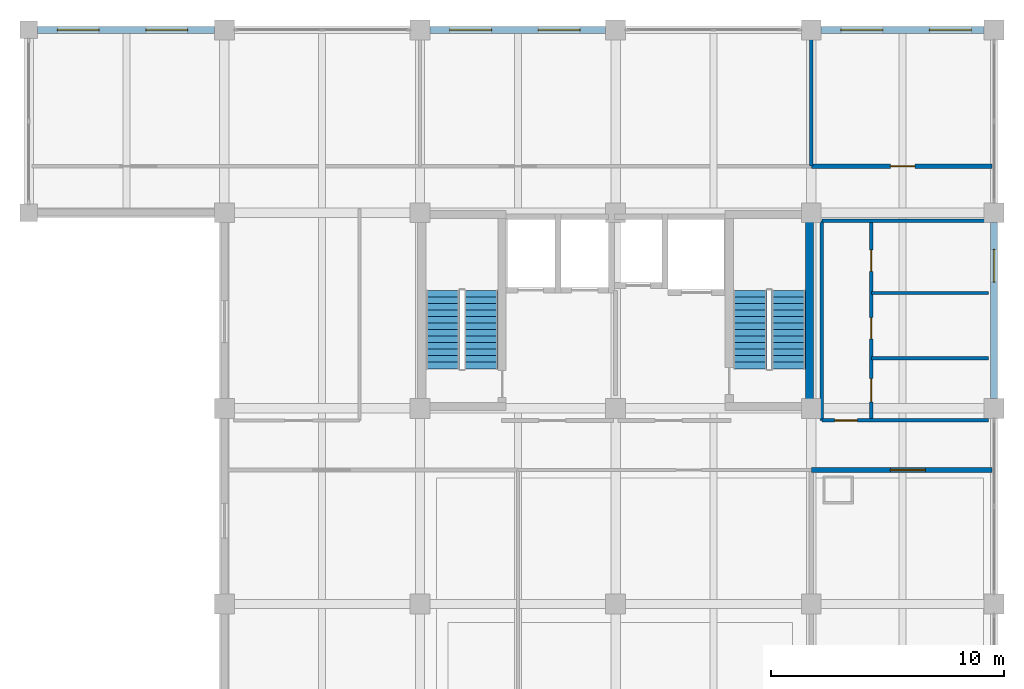
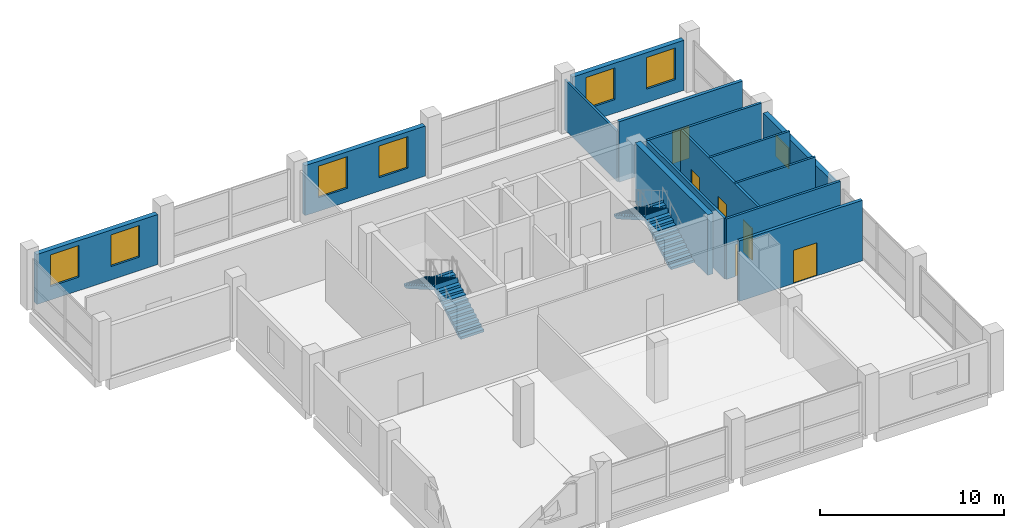
# One storey, part 8 of 9: 14 walls, 7 windows, 6 doors, 4 stair flights, 13 openings, 2 elements without a shape of their own.
"""IFC4 building model written with IfcOpenShell, lengths in metres."""

from ifc_helpers import new_model, si_unit, direction, frame, frame_2d, origin, place, context, subcontext, project, spatial, polyline, rectangle, outline, extrude, material, layer, layer_set, type_object, element, fill, aggregate, save


model = new_model("IFC4")

# Units and contexts
model_context = context("Model", 3, precision=1e-05, world=origin(), true_north=direction((0.0, 1.0)))
body_context = subcontext(model_context, "Body", "Model", "MODEL_VIEW")
ifc_project = project(units=[si_unit("LENGTHUNIT", "METRE"), si_unit("AREAUNIT", "SQUARE_METRE"), si_unit("VOLUMEUNIT", "CUBIC_METRE"), si_unit("PLANEANGLEUNIT", "RADIAN"), si_unit("MASSUNIT", "GRAM", prefix="KILO")], contexts=[model_context])

# Site, building, storey
site_placement = place(None, origin())
site = spatial("IfcSite", under=ifc_project, at=site_placement, CompositionType="ELEMENT")
building_placement = place(site_placement, origin())
building = spatial("IfcBuilding", under=site, at=building_placement, Name="Brinegate Botanical Conservatory", CompositionType="ELEMENT")
storey_placement = place(building_placement, frame((0.0, 0.0, 31.800048828125)))
storey = spatial("IfcBuildingStorey", under=building, at=storey_placement, Name="L08", CompositionType="ELEMENT", Elevation=31.800048828125)

# Wall, openings, windows
ifc_material_1 = material(Name="Insulated Minnan red clay brick masonry", Category="masonry")
ifc_layer_1 = layer(ifc_material_1, 0.300048828125, Name="Insulated Minnan red clay brick masonry", Category="masonry")
ifc_layer_set_1 = layer_set([ifc_layer_1], Name="Insulated Minnan red clay brick masonry")
wall_type_1 = type_object("IfcWallType", Name="Wall_EW-300B", PredefinedType="STANDARD", material=ifc_layer_set_1)
wall_1_placement = place(storey_placement, frame((122.375, 111.449951171875, 0.0), z_axis=(0.0, 0.0, 1.0), x_axis=(1.0, 0.0, 0.0)))
wall_1 = element("IfcWall", 1, at=wall_1_placement, inside=storey, type_object=wall_type_1, Name="Research lab north brick wall L08.1", PredefinedType="STANDARD", context=body_context, shape_type="SweptSolid", body=[
    extrude(rectangle(XDim=7.60009765625, YDim=0.300048828125, at=frame_2d((3.800048828125, 0.0))), origin(), (0.0, 0.0, 1.0), 3.320068359375),
])
opening_1_placement = place(wall_1_placement, frame((0.85009765625, 0.0, 0.89990234375)))
opening_1 = element("IfcOpeningElement", 2, at=opening_1_placement, cuts=wall_1, Name="Opening WN-01", PredefinedType="OPENING", context=body_context, shape_type="SweptSolid", body=[
    extrude(rectangle(XDim=1.800048828125, YDim=2.10009765625, at=frame_2d((0.89990234375, 1.050048828125))), frame((0.0, 0.159912109375, 0.0), z_axis=(0.0, -1.0, 0.0), x_axis=(1.0, 0.0, 0.0)), (0.0, 0.0, 1.0), 0.320068359375),
])
opening_2_placement = place(wall_1_placement, frame((4.64990234375, 0.0, 0.89990234375)))
opening_2 = element("IfcOpeningElement", 3, at=opening_2_placement, cuts=wall_1, Name="Opening WN-01", PredefinedType="OPENING", context=body_context, shape_type="SweptSolid", body=[
    extrude(rectangle(XDim=1.800048828125, YDim=2.10009765625, at=frame_2d((0.89990234375, 1.050048828125))), frame((0.0, 0.159912109375, 0.0), z_axis=(0.0, -1.0, 0.0), x_axis=(1.0, 0.0, 0.0)), (0.0, 0.0, 1.0), 0.320068359375),
])
ifc_material_2 = material(Name="Thermally broken aluminium-framed Low-E glass", Category="aluminium")
window_type_1 = type_object("IfcWindowType", Name="Win_WN-01", PartitioningType="DOUBLE_PANEL_VERTICAL", PredefinedType="WINDOW", material=ifc_material_2)
window_1_placement = place(opening_1_placement, origin())
window_1 = element("IfcWindow", 4, at=window_1_placement, inside=storey, type_object=window_type_1, Name="Research lab north window L08.1A", OverallHeight=2.10009765625, OverallWidth=1.800048828125, PartitioningType="DOUBLE_PANEL_VERTICAL", PredefinedType="WINDOW", context=body_context, shape_type="SweptSolid", body=[
    extrude(rectangle(XDim=1.800048828125, YDim=2.10009765625, at=frame_2d((0.89990234375, 1.050048828125))), frame((0.0, 0.030029296875, 0.0), z_axis=(0.0, -1.0, 0.0), x_axis=(1.0, 0.0, 0.0)), (0.0, 0.0, 1.0), 0.06005859375),
])
fill(opening_1, window_1)
window_2_placement = place(opening_2_placement, origin())
window_2 = element("IfcWindow", 5, at=window_2_placement, inside=storey, type_object=window_type_1, Name="Research lab north window L08.1B", OverallHeight=2.10009765625, OverallWidth=1.800048828125, PartitioningType="DOUBLE_PANEL_VERTICAL", PredefinedType="WINDOW", context=body_context, shape_type="SweptSolid", body=[
    extrude(rectangle(XDim=1.800048828125, YDim=2.10009765625, at=frame_2d((0.89990234375, 1.050048828125))), frame((0.0, 0.030029296875, 0.0), z_axis=(0.0, -1.0, 0.0), x_axis=(1.0, 0.0, 0.0)), (0.0, 0.0, 1.0), 0.06005859375),
])
fill(opening_2, window_2)

wall_2_placement = place(storey_placement, frame((139.22509765625, 111.449951171875, 0.0), z_axis=(0.0, 0.0, 1.0), x_axis=(1.0, 0.0, 0.0)))
wall_2 = element("IfcWall", 6, at=wall_2_placement, inside=storey, type_object=wall_type_1, Name="Research lab north brick wall L08.3", PredefinedType="STANDARD", context=body_context, shape_type="SweptSolid", body=[
    extrude(rectangle(XDim=7.5498046875, YDim=0.300048828125, at=frame_2d((3.77490234375, 0.0))), origin(), (0.0, 0.0, 1.0), 3.320068359375),
])
opening_3_placement = place(wall_2_placement, frame((0.85009765625, 0.0, 0.89990234375)))
opening_3 = element("IfcOpeningElement", 7, at=opening_3_placement, cuts=wall_2, Name="Opening WN-01", PredefinedType="OPENING", context=body_context, shape_type="SweptSolid", body=[
    extrude(rectangle(XDim=1.800048828125, YDim=2.10009765625, at=frame_2d((0.89990234375, 1.050048828125))), frame((0.0, 0.159912109375, 0.0), z_axis=(0.0, -1.0, 0.0), x_axis=(1.0, 0.0, 0.0)), (0.0, 0.0, 1.0), 0.320068359375),
])
opening_4_placement = place(wall_2_placement, frame((4.64990234375, 0.0, 0.89990234375)))
opening_4 = element("IfcOpeningElement", 8, at=opening_4_placement, cuts=wall_2, Name="Opening WN-01", PredefinedType="OPENING", context=body_context, shape_type="SweptSolid", body=[
    extrude(rectangle(XDim=1.800048828125, YDim=2.10009765625, at=frame_2d((0.89990234375, 1.050048828125))), frame((0.0, 0.159912109375, 0.0), z_axis=(0.0, -1.0, 0.0), x_axis=(1.0, 0.0, 0.0)), (0.0, 0.0, 1.0), 0.320068359375),
])
window_3_placement = place(opening_3_placement, origin())
window_3 = element("IfcWindow", 9, at=window_3_placement, inside=storey, type_object=window_type_1, Name="Research lab north window L08.3A", OverallHeight=2.10009765625, OverallWidth=1.800048828125, PartitioningType="DOUBLE_PANEL_VERTICAL", PredefinedType="WINDOW", context=body_context, shape_type="SweptSolid", body=[
    extrude(rectangle(XDim=1.800048828125, YDim=2.10009765625, at=frame_2d((0.89990234375, 1.050048828125))), frame((0.0, 0.030029296875, 0.0), z_axis=(0.0, -1.0, 0.0), x_axis=(1.0, 0.0, 0.0)), (0.0, 0.0, 1.0), 0.06005859375),
])
fill(opening_3, window_3)
window_4_placement = place(opening_4_placement, origin())
window_4 = element("IfcWindow", 10, at=window_4_placement, inside=storey, type_object=window_type_1, Name="Research lab north window L08.3B", OverallHeight=2.10009765625, OverallWidth=1.800048828125, PartitioningType="DOUBLE_PANEL_VERTICAL", PredefinedType="WINDOW", context=body_context, shape_type="SweptSolid", body=[
    extrude(rectangle(XDim=1.800048828125, YDim=2.10009765625, at=frame_2d((0.89990234375, 1.050048828125))), frame((0.0, 0.030029296875, 0.0), z_axis=(0.0, -1.0, 0.0), x_axis=(1.0, 0.0, 0.0)), (0.0, 0.0, 1.0), 0.06005859375),
])
fill(opening_4, window_4)

wall_3_placement = place(storey_placement, frame((156.02490234375, 111.449951171875, 0.0), z_axis=(0.0, 0.0, 1.0), x_axis=(1.0, 0.0, 0.0)))
wall_3 = element("IfcWall", 11, at=wall_3_placement, inside=storey, type_object=wall_type_1, Name="Research lab north brick wall L08.5", PredefinedType="STANDARD", context=body_context, shape_type="SweptSolid", body=[
    extrude(rectangle(XDim=7.0, YDim=0.300048828125, at=frame_2d((3.5, 0.0))), origin(), (0.0, 0.0, 1.0), 3.320068359375),
])
opening_5_placement = place(wall_3_placement, frame((0.85009765625, 0.0, 0.89990234375)))
opening_5 = element("IfcOpeningElement", 12, at=opening_5_placement, cuts=wall_3, Name="Opening WN-01", PredefinedType="OPENING", context=body_context, shape_type="SweptSolid", body=[
    extrude(rectangle(XDim=1.800048828125, YDim=2.10009765625, at=frame_2d((0.89990234375, 1.050048828125))), frame((0.0, 0.159912109375, 0.0), z_axis=(0.0, -1.0, 0.0), x_axis=(1.0, 0.0, 0.0)), (0.0, 0.0, 1.0), 0.320068359375),
])
opening_6_placement = place(wall_3_placement, frame((4.64990234375, 0.0, 0.89990234375)))
opening_6 = element("IfcOpeningElement", 13, at=opening_6_placement, cuts=wall_3, Name="Opening WN-01", PredefinedType="OPENING", context=body_context, shape_type="SweptSolid", body=[
    extrude(rectangle(XDim=1.800048828125, YDim=2.10009765625, at=frame_2d((0.89990234375, 1.050048828125))), frame((0.0, 0.159912109375, 0.0), z_axis=(0.0, -1.0, 0.0), x_axis=(1.0, 0.0, 0.0)), (0.0, 0.0, 1.0), 0.320068359375),
])
window_5_placement = place(opening_5_placement, origin())
window_5 = element("IfcWindow", 14, at=window_5_placement, inside=storey, type_object=window_type_1, Name="Research lab north window L08.5A", OverallHeight=2.10009765625, OverallWidth=1.800048828125, PartitioningType="DOUBLE_PANEL_VERTICAL", PredefinedType="WINDOW", context=body_context, shape_type="SweptSolid", body=[
    extrude(rectangle(XDim=1.800048828125, YDim=2.10009765625, at=frame_2d((0.89990234375, 1.050048828125))), frame((0.0, 0.030029296875, 0.0), z_axis=(0.0, -1.0, 0.0), x_axis=(1.0, 0.0, 0.0)), (0.0, 0.0, 1.0), 0.06005859375),
])
fill(opening_5, window_5)
window_6_placement = place(opening_6_placement, origin())
window_6 = element("IfcWindow", 15, at=window_6_placement, inside=storey, type_object=window_type_1, Name="Research lab north window L08.5B", OverallHeight=2.10009765625, OverallWidth=1.800048828125, PartitioningType="DOUBLE_PANEL_VERTICAL", PredefinedType="WINDOW", context=body_context, shape_type="SweptSolid", body=[
    extrude(rectangle(XDim=1.800048828125, YDim=2.10009765625, at=frame_2d((0.89990234375, 1.050048828125))), frame((0.0, 0.030029296875, 0.0), z_axis=(0.0, -1.0, 0.0), x_axis=(1.0, 0.0, 0.0)), (0.0, 0.0, 1.0), 0.06005859375),
])
fill(opening_6, window_6)

# Wall, opening, window
wall_4_placement = place(storey_placement, frame((163.449951171875, 103.175048828125, 0.0), z_axis=(0.0, 0.0, 1.0), x_axis=(0.0, -1.0, 0.0)))
wall_4 = element("IfcWall", 16, at=wall_4_placement, inside=storey, type_object=wall_type_1, Name="Tower east brick wall L08.3", PredefinedType="STANDARD", context=body_context, shape_type="SweptSolid", body=[
    extrude(rectangle(XDim=7.550048828125, YDim=0.300048828125, at=frame_2d((3.77490234375, 0.0))), origin(), (0.0, 0.0, 1.0), 3.320068359375),
])
opening_7_placement = place(wall_4_placement, frame((1.14990234375, 0.0, 1.10009765625)))
opening_7 = element("IfcOpeningElement", 17, at=opening_7_placement, cuts=wall_4, Name="Opening WN-16", PredefinedType="OPENING", context=body_context, shape_type="SweptSolid", body=[
    extrude(rectangle(XDim=1.39990234375, YDim=1.39990234375, at=frame_2d((0.699951171875, 0.699951171875))), frame((0.0, 0.159912109375, 0.0), z_axis=(0.0, -1.0, 0.0), x_axis=(1.0, 0.0, 0.0)), (0.0, 0.0, 1.0), 0.320068359375),
])
window_type_2 = type_object("IfcWindowType", Name="Win_WN-16", PartitioningType="SINGLE_PANEL", PredefinedType="WINDOW", material=ifc_material_2)
window_7_placement = place(opening_7_placement, origin())
window_7 = element("IfcWindow", 18, at=window_7_placement, inside=storey, type_object=window_type_2, Name="Tower east window L08.3", OverallHeight=1.39990234375, OverallWidth=1.39990234375, PartitioningType="SINGLE_PANEL", PredefinedType="WINDOW", context=body_context, shape_type="SweptSolid", body=[
    extrude(rectangle(XDim=1.39990234375, YDim=1.39990234375, at=frame_2d((0.699951171875, 0.699951171875))), frame((0.0, 0.030029296875, 0.0), z_axis=(0.0, -1.0, 0.0), x_axis=(1.0, 0.0, 0.0)), (0.0, 0.0, 1.0), 0.06005859375),
])
fill(opening_7, window_7)

# Walls
ifc_material_3 = material(Name="Gypsum-clad steel-stud partition", Category="steel")
ifc_layer_2 = layer(ifc_material_3, 0.135009765625, Name="Gypsum-clad steel-stud partition", Category="steel")
ifc_layer_set_2 = layer_set([ifc_layer_2], Name="Gypsum-clad steel-stud partition")
wall_type_2 = type_object("IfcWallType", Name="Wall_PW-135", PredefinedType="PARTITIONING", material=ifc_layer_set_2)
for number, where, z_axis, x_axis, name in (
    (19, (158.179931640625, 97.35009765625, 0.0), (0.0, 0.0, 1.0), (1.0, 0.0, 0.0), "Interior partition P-L08-WCD-9735"),
    (20, (158.179931640625, 100.14990234375, 0.0), (0.0, 0.0, 1.0), (1.0, 0.0, 0.0), "Interior partition P-L08-WCD-10015"),
):
    element("IfcWall", number, at=place(storey_placement, frame(where, z_axis=z_axis, x_axis=x_axis)), inside=storey, type_object=wall_type_2, Name=name, PredefinedType="PARTITIONING", context=body_context, shape_type="SweptSolid", body=[
        extrude(rectangle(XDim=5.02001953125, YDim=0.135009765625, at=frame_2d((2.510009765625, 0.0))), origin(), (0.0, 0.0, 1.0), 4.02001953125),
    ])
wall_5_placement = place(storey_placement, frame((155.60009765625, 105.60009765625, 0.0), z_axis=(0.0, 0.0, 1.0), x_axis=(0.0, 1.0, 0.0)))
element("IfcWall", 21, at=wall_5_placement, inside=storey, type_object=wall_type_2, Name="Interior partition P-L08-NDIV-N3", PredefinedType="PARTITIONING", context=body_context, shape_type="SweptSolid", body=[
    extrude(rectangle(XDim=5.75, YDim=0.135009765625, at=frame_2d((2.875, 0.0))), origin(), (0.0, 0.0, 1.0), 3.320068359375),
])

# Wall, opening, door
ifc_material_4 = material(Name="Moisture-resistant cement-board partition", Category="gypsum")
ifc_layer_3 = layer(ifc_material_4, 0.14990234375, Name="Moisture-resistant cement-board partition", Category="gypsum")
ifc_layer_set_3 = layer_set([ifc_layer_3], Name="Moisture-resistant cement-board partition")
wall_type_3 = type_object("IfcWallType", Name="Wall_PW-150W", PredefinedType="PARTITIONING", material=ifc_layer_set_3)
wall_6_placement = place(storey_placement, frame((156.050048828125, 94.679931640625, 0.0), z_axis=(0.0, 0.0, 1.0), x_axis=(1.0, 0.0, 0.0)))
wall_6 = element("IfcWall", 22, at=wall_6_placement, inside=storey, type_object=wall_type_3, Name="Interior partition P-L08-WCS", PredefinedType="PARTITIONING", context=body_context, shape_type="SweptSolid", body=[
    extrude(rectangle(XDim=7.14990234375, YDim=0.14990234375, at=frame_2d((3.574951171875, 0.0))), origin(), (0.0, 0.0, 1.0), 4.02001953125),
])
opening_8_placement = place(wall_6_placement, frame((0.550048828125, 0.0, 0.0)))
opening_8 = element("IfcOpeningElement", 23, at=opening_8_placement, cuts=wall_6, Name="Opening DR-03", PredefinedType="OPENING", context=body_context, shape_type="SweptSolid", body=[
    extrude(rectangle(XDim=0.97998046875, YDim=2.1201171875, at=frame_2d((0.489990234375, 1.06005859375))), frame((0.0, 0.0849609375, 0.0), z_axis=(0.0, -1.0, 0.0), x_axis=(1.0, 0.0, 0.0)), (0.0, 0.0, 1.0), 0.169921875),
])
ifc_material_5 = material(Name="Steel-core hardwood smoke-sealed fire door", Category="steel")
door_type_1 = type_object("IfcDoorType", Name="Door_DR-03", OperationType="NOTDEFINED", PredefinedType="DOOR", material=ifc_material_5)
door_1_placement = place(opening_8_placement, origin())
door_1 = element("IfcDoor", 24, at=door_1_placement, inside=storey, type_object=door_type_1, Name="DR-P-L08-WCS-1", OperationType="SINGLE_SWING_LEFT", OverallHeight=2.1201171875, OverallWidth=0.97998046875, PredefinedType="DOOR", context=body_context, shape_type="SweptSolid", body=[
    extrude(rectangle(XDim=0.97998046875, YDim=2.1201171875, at=frame_2d((0.489990234375, 1.06005859375))), frame((0.0, 0.02490234375, 0.0), z_axis=(0.0, -1.0, 0.0), x_axis=(1.0, 0.0, 0.0)), (0.0, 0.0, 1.0), 0.050048828125),
])
fill(opening_8, door_1)

# Wall, openings, doors
wall_7_placement = place(storey_placement, frame((158.179931640625, 94.679931640625, 0.0), z_axis=(0.0, 0.0, 1.0), x_axis=(0.0, 1.0, 0.0)))
wall_7 = element("IfcWall", 25, at=wall_7_placement, inside=storey, type_object=wall_type_3, Name="Interior partition P-L08-WCW", PredefinedType="PARTITIONING", context=body_context, shape_type="SweptSolid", body=[
    extrude(rectangle(XDim=8.570068359375, YDim=0.14990234375, at=frame_2d((4.28515625, 0.0))), origin(), (0.0, 0.0, 1.0), 4.02001953125),
])
opening_9_placement = place(wall_7_placement, frame((0.800048828125, 0.0, 0.0)))
opening_9 = element("IfcOpeningElement", 26, at=opening_9_placement, cuts=wall_7, Name="Opening DR-ACC", PredefinedType="OPENING", context=body_context, shape_type="SweptSolid", body=[
    extrude(rectangle(XDim=1.0, YDim=2.1201171875, at=frame_2d((0.5, 1.06005859375))), frame((0.0, 0.0849609375, 0.0), z_axis=(0.0, -1.0, 0.0), x_axis=(1.0, 0.0, 0.0)), (0.0, 0.0, 1.0), 0.169921875),
])
opening_10_placement = place(wall_7_placement, frame((3.5, 0.0, 0.0)))
opening_10 = element("IfcOpeningElement", 27, at=opening_10_placement, cuts=wall_7, Name="Opening DR-04", PredefinedType="OPENING", context=body_context, shape_type="SweptSolid", body=[
    extrude(rectangle(XDim=0.919921875, YDim=2.10009765625, at=frame_2d((0.4599609375, 1.050048828125))), frame((0.0, 0.0849609375, 0.0), z_axis=(0.0, -1.0, 0.0), x_axis=(1.0, 0.0, 0.0)), (0.0, 0.0, 1.0), 0.169921875),
])
opening_11_placement = place(wall_7_placement, frame((6.39990234375, 0.0, 0.0)))
opening_11 = element("IfcOpeningElement", 28, at=opening_11_placement, cuts=wall_7, Name="Opening DR-04", PredefinedType="OPENING", context=body_context, shape_type="SweptSolid", body=[
    extrude(rectangle(XDim=0.919921875, YDim=2.10009765625, at=frame_2d((0.4599609375, 1.050048828125))), frame((0.0, 0.0849609375, 0.0), z_axis=(0.0, -1.0, 0.0), x_axis=(1.0, 0.0, 0.0)), (0.0, 0.0, 1.0), 0.169921875),
])
ifc_material_6 = material(Name="Moisture-resistant laminate timber leaf", Category="wood")
door_type_2 = type_object("IfcDoorType", Name="Door_DR-04", OperationType="NOTDEFINED", PredefinedType="DOOR", material=ifc_material_6)
door_2_placement = place(opening_10_placement, origin())
door_2 = element("IfcDoor", 29, at=door_2_placement, inside=storey, type_object=door_type_2, Name="DR-P-L08-WCW-2", OperationType="SINGLE_SWING_RIGHT", OverallHeight=2.10009765625, OverallWidth=0.919921875, PredefinedType="DOOR", context=body_context, shape_type="SweptSolid", body=[
    extrude(rectangle(XDim=0.919921875, YDim=2.10009765625, at=frame_2d((0.4599609375, 1.050048828125))), frame((0.0, 0.02490234375, 0.0), z_axis=(0.0, -1.0, 0.0), x_axis=(1.0, 0.0, 0.0)), (0.0, 0.0, 1.0), 0.050048828125),
])
fill(opening_10, door_2)
door_3_placement = place(opening_11_placement, origin())
door_3 = element("IfcDoor", 30, at=door_3_placement, inside=storey, type_object=door_type_2, Name="DR-P-L08-WCW-3", OperationType="SINGLE_SWING_LEFT", OverallHeight=2.10009765625, OverallWidth=0.919921875, PredefinedType="DOOR", context=body_context, shape_type="SweptSolid", body=[
    extrude(rectangle(XDim=0.919921875, YDim=2.10009765625, at=frame_2d((0.4599609375, 1.050048828125))), frame((0.0, 0.02490234375, 0.0), z_axis=(0.0, -1.0, 0.0), x_axis=(1.0, 0.0, 0.0)), (0.0, 0.0, 1.0), 0.050048828125),
])
fill(opening_11, door_3)
ifc_material_7 = material(Name="Moisture-resistant barrier-free timber leaf", Category="wood")
door_type_3 = type_object("IfcDoorType", Name="Door_DR-ACC", OperationType="NOTDEFINED", PredefinedType="DOOR", material=ifc_material_7)
door_4_placement = place(opening_9_placement, origin())
door_4 = element("IfcDoor", 31, at=door_4_placement, inside=storey, type_object=door_type_3, Name="DR-P-L08-WCW-1", OperationType="SINGLE_SWING_LEFT", OverallHeight=2.1201171875, OverallWidth=1.0, PredefinedType="DOOR", context=body_context, shape_type="SweptSolid", body=[
    extrude(rectangle(XDim=1.0, YDim=2.1201171875, at=frame_2d((0.5, 1.06005859375))), frame((0.0, 0.02490234375, 0.0), z_axis=(0.0, -1.0, 0.0), x_axis=(1.0, 0.0, 0.0)), (0.0, 0.0, 1.0), 0.050048828125),
])
fill(opening_9, door_4)

# Walls
wall_8_placement = place(storey_placement, frame((156.050048828125, 103.25, 0.0), z_axis=(0.0, 0.0, 1.0), x_axis=(1.0, 0.0, 0.0)))
element("IfcWall", 32, at=wall_8_placement, inside=storey, type_object=wall_type_3, Name="Interior partition P-L08-WCN", PredefinedType="PARTITIONING", context=body_context, shape_type="SweptSolid", body=[
    extrude(rectangle(XDim=7.14990234375, YDim=0.14990234375, at=frame_2d((3.574951171875, 0.0))), origin(), (0.0, 0.0, 1.0), 4.02001953125),
])
wall_9_placement = place(storey_placement, frame((156.050048828125, 94.679931640625, 0.0), z_axis=(0.0, 0.0, 1.0), x_axis=(0.0, 1.0, 0.0)))
element("IfcWall", 33, at=wall_9_placement, inside=storey, type_object=wall_type_3, Name="Interior partition P-L08-WCWW", PredefinedType="PARTITIONING", context=body_context, shape_type="SweptSolid", body=[
    extrude(rectangle(XDim=8.570068359375, YDim=0.14990234375, at=frame_2d((4.28515625, 0.0))), origin(), (0.0, 0.0, 1.0), 4.02001953125),
])

# Wall, opening, door
ifc_material_8 = material(Name="Autoclaved aerated concrete C40/50 blockwork", Category="masonry")
ifc_layer_4 = layer(ifc_material_8, 0.199951171875, Name="Autoclaved aerated concrete C40/50 blockwork", Category="masonry")
ifc_layer_set_4 = layer_set([ifc_layer_4], Name="Autoclaved aerated concrete C40/50 blockwork")
wall_type_4 = type_object("IfcWallType", Name="Wall_PW-200F", PredefinedType="SOLIDWALL", material=ifc_layer_set_4)
wall_10_placement = place(storey_placement, frame((155.60009765625, 105.60009765625, 0.0), z_axis=(0.0, 0.0, 1.0), x_axis=(1.0, 0.0, 0.0)))
wall_10 = element("IfcWall", 34, at=wall_10_placement, inside=storey, type_object=wall_type_4, Name="Interior partition P-L08-NB-N3", PredefinedType="SOLIDWALL", context=body_context, shape_type="SweptSolid", body=[
    extrude(rectangle(XDim=7.75, YDim=0.199951171875, at=frame_2d((3.875, 0.0))), origin(), (0.0, 0.0, 1.0), 4.02001953125),
])
opening_12_placement = place(wall_10_placement, frame((3.39990234375, 0.0, 0.0)))
opening_12 = element("IfcOpeningElement", 35, at=opening_12_placement, cuts=wall_10, Name="Opening FD-B2", PredefinedType="OPENING", context=body_context, shape_type="SweptSolid", body=[
    extrude(rectangle(XDim=1.050048828125, YDim=2.14990234375, at=frame_2d((0.52490234375, 1.074951171875))), frame((0.0, 0.10986328125, 0.0), z_axis=(0.0, -1.0, 0.0), x_axis=(1.0, 0.0, 0.0)), (0.0, 0.0, 1.0), 0.219970703125),
])
ifc_material_9 = material(Name="Steel fire door assembly", Category="steel")
door_type_4 = type_object("IfcDoorType", Name="Door_FD-B2", OperationType="NOTDEFINED", PredefinedType="DOOR", material=ifc_material_9)
door_5_placement = place(opening_12_placement, origin())
door_5 = element("IfcDoor", 36, at=door_5_placement, inside=storey, type_object=door_type_4, Name="DR-P-L08-NB-N3-1", OperationType="SINGLE_SWING_LEFT", OverallHeight=2.14990234375, OverallWidth=1.050048828125, PredefinedType="DOOR", context=body_context, shape_type="SweptSolid", body=[
    extrude(rectangle(XDim=1.050048828125, YDim=2.14990234375, at=frame_2d((0.52490234375, 1.074951171875))), frame((0.0, 0.02490234375, 0.0), z_axis=(0.0, -1.0, 0.0), x_axis=(1.0, 0.0, 0.0)), (0.0, 0.0, 1.0), 0.050048828125),
])
fill(opening_12, door_5)

wall_11_placement = place(storey_placement, frame((155.60009765625, 92.550048828125, 0.0), z_axis=(0.0, 0.0, 1.0), x_axis=(1.0, 0.0, 0.0)))
wall_11 = element("IfcWall", 37, at=wall_11_placement, inside=storey, type_object=wall_type_4, Name="Interior partition P-L08-SB-S3", PredefinedType="SOLIDWALL", context=body_context, shape_type="SweptSolid", body=[
    extrude(rectangle(XDim=7.75, YDim=0.199951171875, at=frame_2d((3.875, 0.0))), origin(), (0.0, 0.0, 1.0), 4.02001953125),
])
opening_13_placement = place(wall_11_placement, frame((3.39990234375, 0.0, 0.0)))
opening_13 = element("IfcOpeningElement", 38, at=opening_13_placement, cuts=wall_11, Name="Opening FD-A2", PredefinedType="OPENING", context=body_context, shape_type="SweptSolid", body=[
    extrude(rectangle(XDim=1.5, YDim=2.199951171875, at=frame_2d((0.75, 1.10009765625))), frame((0.0, 0.10986328125, 0.0), z_axis=(0.0, -1.0, 0.0), x_axis=(1.0, 0.0, 0.0)), (0.0, 0.0, 1.0), 0.219970703125),
])
ifc_material_10 = material(Name="Steel fire-rated double-leaf assembly", Category="steel")
door_type_5 = type_object("IfcDoorType", Name="Door_FD-A2", OperationType="NOTDEFINED", PredefinedType="DOOR", material=ifc_material_10)
door_6_placement = place(opening_13_placement, origin())
door_6 = element("IfcDoor", 39, at=door_6_placement, inside=storey, type_object=door_type_5, Name="DR-P-L08-SB-S3-1", OperationType="SINGLE_SWING_RIGHT", OverallHeight=2.199951171875, OverallWidth=1.5, PredefinedType="DOOR", context=body_context, shape_type="SweptSolid", body=[
    extrude(rectangle(XDim=1.5, YDim=2.199951171875, at=frame_2d((0.75, 1.10009765625))), frame((0.0, 0.02490234375, 0.0), z_axis=(0.0, -1.0, 0.0), x_axis=(1.0, 0.0, 0.0)), (0.0, 0.0, 1.0), 0.050048828125),
])
fill(opening_13, door_6)

# Wall
ifc_material_11 = material(Name="Concrete C40/50", Category="concrete")
ifc_layer_5 = layer(ifc_material_11, 0.35009765625, Name="Concrete C40/50", Category="concrete")
ifc_layer_set_5 = layer_set([ifc_layer_5], Name="Concrete C40/50")
wall_type_5 = type_object("IfcWallType", Name="Wall_SW-350", PredefinedType="SHEAR", material=ifc_layer_set_5)
wall_12_placement = place(storey_placement, frame((155.52490234375, 95.449951171875, 0.0), z_axis=(0.0, 0.0, 1.0), x_axis=(0.0, 1.0, 0.0)))
element("IfcWall", 40, at=wall_12_placement, inside=storey, type_object=wall_type_5, Name="Stairwell ST2 shear wall L08 E", PredefinedType="SHEAR", context=body_context, shape_type="SweptSolid", body=[
    extrude(rectangle(XDim=7.900146484375, YDim=0.35009765625, at=frame_2d((3.9501953125, 0.0))), origin(), (0.0, 0.0, 1.0), 4.02001953125),
])

# Stair, stair flights
stair_type = type_object("IfcStairType", Name="Stair_HT-4200", PredefinedType="HALF_TURN_STAIR", material=ifc_material_11)
stair_1_placement = place(storey_placement, origin())
stair_1 = element("IfcStair", 41, at=stair_1_placement, inside=storey, type_object=stair_type, Name="L08 Tower West Smoke-Proof Stair ST1", PredefinedType="HALF_TURN_STAIR")
stair_flight_type = type_object("IfcStairFlightType", Name="Flight_SF-4200", PredefinedType="STRAIGHT", material=ifc_material_11)
stair_flight_1_placement = place(storey_placement, frame((141.425048828125, 96.89990234375, 0.0), z_axis=(0.0, 0.0, 1.0), x_axis=(0.0, 1.0, 0.0)))
stair_flight_1 = element("IfcStairFlight", 42, at=stair_flight_1_placement, type_object=stair_flight_type, Name="ST1 flight 1", NumberOfRisers=13, NumberOfTreads=12, PredefinedType="STRAIGHT", RiserHeight=0.161538462, TreadLength=0.28, context=body_context, shape_type="SweptSolid", body=[
    extrude(outline(polyline([(-0.00048828125, 0.0), (-0.00048828125, 0.16162109375), (0.280029296875, 0.16162109375), (0.280029296875, 0.322998046875), (0.56005859375, 0.322998046875), (0.56005859375, 0.484619140625), (0.840087890625, 0.484619140625), (0.840087890625, 0.646240234375), (1.1201171875, 0.646240234375), (1.1201171875, 0.8076171875), (1.39990234375, 0.8076171875), (1.39990234375, 0.96923828125), (1.679931640625, 0.96923828125), (1.679931640625, 1.130859375), (1.9599609375, 1.130859375), (1.9599609375, 1.292236328125), (2.239990234375, 1.292236328125), (2.239990234375, 1.453857421875), (2.52001953125, 1.453857421875), (2.52001953125, 1.615478515625), (2.800048828125, 1.615478515625), (2.800048828125, 1.77685546875), (3.080078125, 1.77685546875), (3.080078125, 1.9384765625), (3.360107421875, 1.9384765625), (3.360107421875, 2.10009765625), (3.360595703125, 2.10009765625), (3.360595703125, 1.765380859375), (0.300048828125, 0.0), (-0.00048828125, 0.0)])), frame((0.0, 0.72509765625, 0.0), z_axis=(0.0, -1.0, 0.0), x_axis=(1.0, 0.0, 0.0)), (0.0, 0.0, 1.0), 1.449951171875),
])
stair_flight_2_placement = place(storey_placement, frame((139.77490234375, 100.260009765625, 2.099853515625), z_axis=(0.0, 0.0, 1.0), x_axis=(0.0, -1.0, 0.0)))
stair_flight_2 = element("IfcStairFlight", 43, at=stair_flight_2_placement, type_object=stair_flight_type, Name="ST1 flight 2", NumberOfRisers=13, NumberOfTreads=12, PredefinedType="STRAIGHT", RiserHeight=0.161538462, TreadLength=0.28, context=body_context, shape_type="SweptSolid", body=[
    extrude(outline(polyline([(-0.00048828125, 0.0), (-0.00048828125, 0.16162109375), (0.280029296875, 0.16162109375), (0.280029296875, 0.322998046875), (0.56005859375, 0.322998046875), (0.56005859375, 0.484619140625), (0.840087890625, 0.484619140625), (0.840087890625, 0.646240234375), (1.1201171875, 0.646240234375), (1.1201171875, 0.8076171875), (1.39990234375, 0.8076171875), (1.39990234375, 0.96923828125), (1.679931640625, 0.96923828125), (1.679931640625, 1.130859375), (1.9599609375, 1.130859375), (1.9599609375, 1.292236328125), (2.239990234375, 1.292236328125), (2.239990234375, 1.453857421875), (2.52001953125, 1.453857421875), (2.52001953125, 1.615478515625), (2.800048828125, 1.615478515625), (2.800048828125, 1.77685546875), (3.080078125, 1.77685546875), (3.080078125, 1.9384765625), (3.360107421875, 1.9384765625), (3.360107421875, 2.10009765625), (3.360595703125, 2.10009765625), (3.360595703125, 1.765380859375), (0.300048828125, 0.0), (-0.00048828125, 0.0)])), frame((0.0, 0.72509765625, 0.0), z_axis=(0.0, -1.0, 0.0), x_axis=(1.0, 0.0, 0.0)), (0.0, 0.0, 1.0), 1.449951171875),
])
aggregate(stair_1, [stair_flight_1, stair_flight_2])

stair_2_placement = place(storey_placement, origin())
stair_2 = element("IfcStair", 44, at=stair_2_placement, inside=storey, type_object=stair_type, Name="L08 Tower East Smoke-Proof Stair ST2", PredefinedType="HALF_TURN_STAIR")
stair_flight_3_placement = place(storey_placement, frame((154.625, 96.89990234375, 0.0), z_axis=(0.0, 0.0, 1.0), x_axis=(0.0, 1.0, 0.0)))
stair_flight_3 = element("IfcStairFlight", 45, at=stair_flight_3_placement, type_object=stair_flight_type, Name="ST2 flight 1", NumberOfRisers=13, NumberOfTreads=12, PredefinedType="STRAIGHT", RiserHeight=0.161538462, TreadLength=0.28, context=body_context, shape_type="SweptSolid", body=[
    extrude(outline(polyline([(-0.00048828125, 0.0), (-0.00048828125, 0.16162109375), (0.280029296875, 0.16162109375), (0.280029296875, 0.322998046875), (0.56005859375, 0.322998046875), (0.56005859375, 0.484619140625), (0.840087890625, 0.484619140625), (0.840087890625, 0.646240234375), (1.1201171875, 0.646240234375), (1.1201171875, 0.8076171875), (1.39990234375, 0.8076171875), (1.39990234375, 0.96923828125), (1.679931640625, 0.96923828125), (1.679931640625, 1.130859375), (1.9599609375, 1.130859375), (1.9599609375, 1.292236328125), (2.239990234375, 1.292236328125), (2.239990234375, 1.453857421875), (2.52001953125, 1.453857421875), (2.52001953125, 1.615478515625), (2.800048828125, 1.615478515625), (2.800048828125, 1.77685546875), (3.080078125, 1.77685546875), (3.080078125, 1.9384765625), (3.360107421875, 1.9384765625), (3.360107421875, 2.10009765625), (3.360595703125, 2.10009765625), (3.360595703125, 1.765380859375), (0.300048828125, 0.0), (-0.00048828125, 0.0)])), frame((0.0, 0.72509765625, 0.0), z_axis=(0.0, -1.0, 0.0), x_axis=(1.0, 0.0, 0.0)), (0.0, 0.0, 1.0), 1.449951171875),
])
stair_flight_4_placement = place(storey_placement, frame((152.97509765625, 100.260009765625, 2.099853515625), z_axis=(0.0, 0.0, 1.0), x_axis=(0.0, -1.0, 0.0)))
stair_flight_4 = element("IfcStairFlight", 46, at=stair_flight_4_placement, type_object=stair_flight_type, Name="ST2 flight 2", NumberOfRisers=13, NumberOfTreads=12, PredefinedType="STRAIGHT", RiserHeight=0.161538462, TreadLength=0.28, context=body_context, shape_type="SweptSolid", body=[
    extrude(outline(polyline([(-0.00048828125, 0.0), (-0.00048828125, 0.16162109375), (0.280029296875, 0.16162109375), (0.280029296875, 0.322998046875), (0.56005859375, 0.322998046875), (0.56005859375, 0.484619140625), (0.840087890625, 0.484619140625), (0.840087890625, 0.646240234375), (1.1201171875, 0.646240234375), (1.1201171875, 0.8076171875), (1.39990234375, 0.8076171875), (1.39990234375, 0.96923828125), (1.679931640625, 0.96923828125), (1.679931640625, 1.130859375), (1.9599609375, 1.130859375), (1.9599609375, 1.292236328125), (2.239990234375, 1.292236328125), (2.239990234375, 1.453857421875), (2.52001953125, 1.453857421875), (2.52001953125, 1.615478515625), (2.800048828125, 1.615478515625), (2.800048828125, 1.77685546875), (3.080078125, 1.77685546875), (3.080078125, 1.9384765625), (3.360107421875, 1.9384765625), (3.360107421875, 2.10009765625), (3.360595703125, 2.10009765625), (3.360595703125, 1.765380859375), (0.300048828125, 0.0), (-0.00048828125, 0.0)])), frame((0.0, 0.72509765625, 0.0), z_axis=(0.0, -1.0, 0.0), x_axis=(1.0, 0.0, 0.0)), (0.0, 0.0, 1.0), 1.449951171875),
])
aggregate(stair_2, [stair_flight_3, stair_flight_4])

save(model, "model.ifc")
